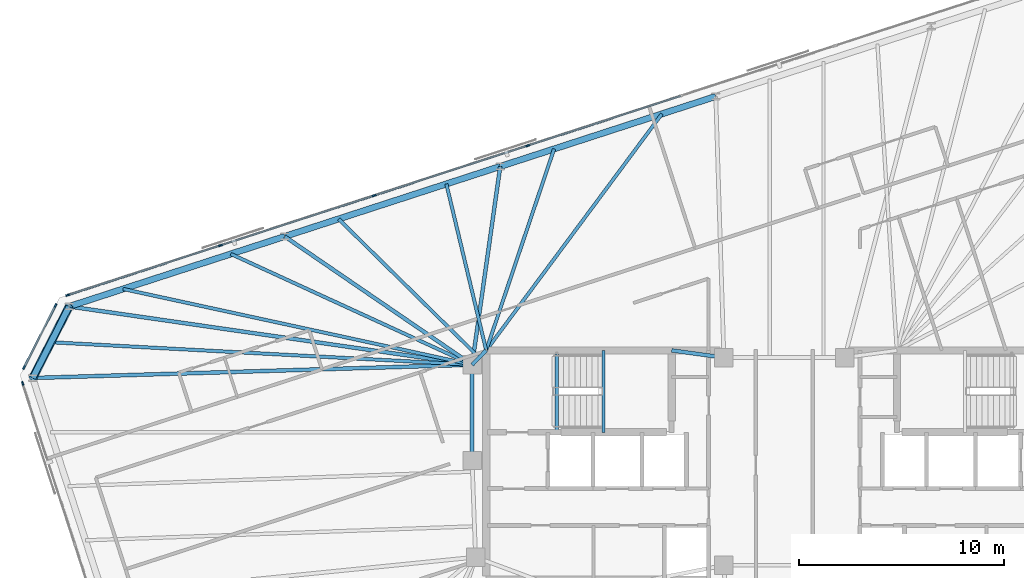
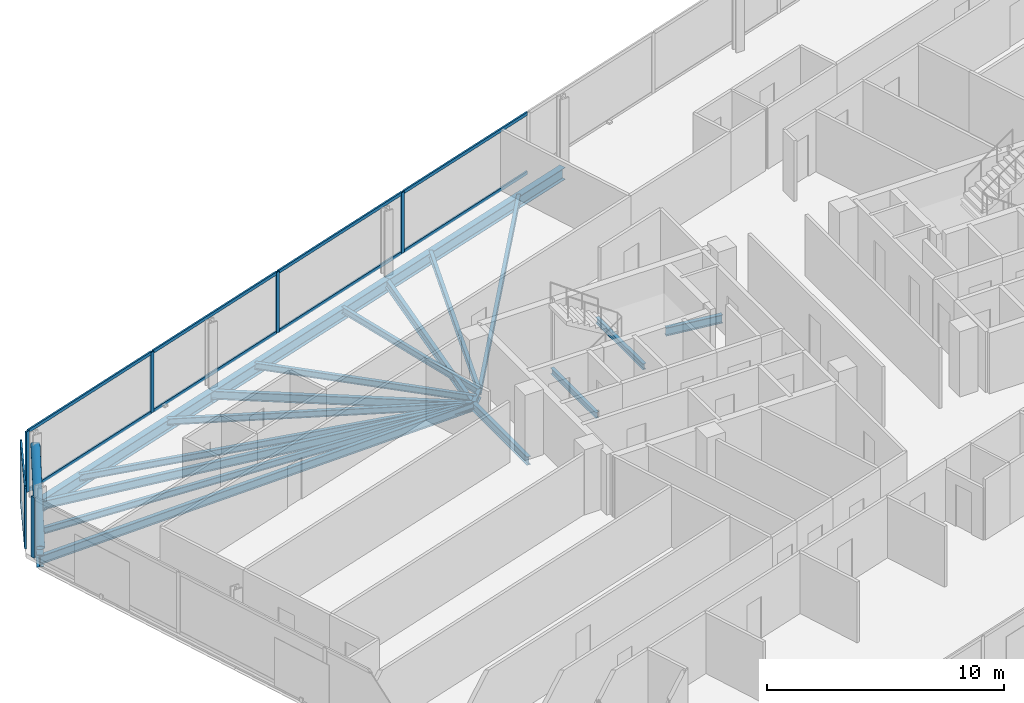
# One storey, part 9 of 19: 20 beams, 18 members, 3 elements without a shape of their own.
"""IFC4 building model written with IfcOpenShell, lengths in metres."""

from ifc_helpers import new_model, si_unit, direction, frame, origin, origin_2d, place, context, subcontext, project, spatial, rectangle, hollow_circle, i_section, extrude, material, material_profile, profile_set, type_object, element, aggregate, save


model = new_model("IFC4")

# Units and contexts
model_context = context("Model", 3, precision=1e-05, world=origin(), true_north=direction((0.0, 1.0)))
body_context = subcontext(model_context, "Body", "Model", "MODEL_VIEW")
ifc_project = project(units=[si_unit("LENGTHUNIT", "METRE"), si_unit("AREAUNIT", "SQUARE_METRE"), si_unit("VOLUMEUNIT", "CUBIC_METRE"), si_unit("PLANEANGLEUNIT", "RADIAN"), si_unit("MASSUNIT", "GRAM", prefix="KILO")], contexts=[model_context])

# Site, building, storey
site_placement = place(None, origin())
site = spatial("IfcSite", under=ifc_project, at=site_placement, CompositionType="ELEMENT")
building_placement = place(site_placement, origin())
building = spatial("IfcBuilding", under=site, at=building_placement, Name="Menara Jurai Vektor", CompositionType="ELEMENT")
storey_placement = place(building_placement, frame((0.0, 0.0, 214.25)))
storey = spatial("IfcBuildingStorey", under=building, at=storey_placement, Name="L56", CompositionType="ELEMENT", Elevation=214.25)

# Curtain wall, members
ifc_material_1 = material(Name="Anodised Pale Aluminium & Low-E Double Glazing", Category="aluminium")
curtain_wall_type = type_object("IfcCurtainWallType", Name="CW-BLK4", PredefinedType="NOTDEFINED", material=ifc_material_1)
curtain_wall_1_placement = place(storey_placement, origin())
curtain_wall_1 = element("IfcCurtainWall", 1, at=curtain_wall_1_placement, inside=storey, type_object=curtain_wall_type, Name="Unitised Curtain Wall L56 F05", PredefinedType="NOTDEFINED")
ifc_material_2 = material(Name="Anodised Pale Aluminium Mullion", Category="aluminium")
ifc_material_profile_1 = material_profile(ifc_material_2, rectangle(XDim=0.080078125, YDim=0.18994140625, at=origin_2d()), Name="ALU MUL 80x190")
ifc_profile_set_1 = profile_set([ifc_material_profile_1], Name="Anodised Pale Aluminium Mullion")
member_type_1 = type_object("IfcMemberType", Name="CW-BLK4-MUL", PredefinedType="MULLION", material=ifc_profile_set_1)
member_1_placement = place(storey_placement, frame((-12.532958984375, 15.601806640625, 0.0), z_axis=(0.0, 0.0, 1.0), x_axis=(0.309017344167, -0.951056402641, 0.0)))
member_1 = element("IfcMember", 2, at=member_1_placement, type_object=member_type_1, Name="CW-04 mullion 5", PredefinedType="MULLION", context=body_context, shape_type="SweptSolid", body=[
    extrude(rectangle(XDim=0.080078125, YDim=0.18994140625, at=origin_2d()), origin(), (0.0, 0.0, 1.0), 3.125),
])
member_2_placement = place(storey_placement, frame((-20.0380859375, 13.163330078125, 0.0), z_axis=(0.0, 0.0, 1.0), x_axis=(0.309017344167, -0.951056402641, 0.0)))
member_2 = element("IfcMember", 3, at=member_2_placement, type_object=member_type_1, Name="CW-04 mullion 6", PredefinedType="MULLION", context=body_context, shape_type="SweptSolid", body=[
    extrude(rectangle(XDim=0.080078125, YDim=0.18994140625, at=origin_2d()), origin(), (0.0, 0.0, 1.0), 3.125),
])
member_3_placement = place(storey_placement, frame((-27.543212890625, 10.724609375, 0.0), z_axis=(0.0, 0.0, 1.0), x_axis=(0.309017344167, -0.951056402641, 0.0)))
member_3 = element("IfcMember", 4, at=member_3_placement, type_object=member_type_1, Name="CW-04 mullion 7", PredefinedType="MULLION", context=body_context, shape_type="SweptSolid", body=[
    extrude(rectangle(XDim=0.080078125, YDim=0.18994140625, at=origin_2d()), origin(), (0.0, 0.0, 1.0), 3.125),
])
member_4_placement = place(storey_placement, frame((-35.010498046875, 8.29833984375, 0.0), z_axis=(0.0, 0.0, 1.0), x_axis=(0.309017344167, -0.951056402641, 0.0)))
member_4 = element("IfcMember", 5, at=member_4_placement, type_object=member_type_1, Name="CW-04 mullion 8", PredefinedType="MULLION", context=body_context, shape_type="SweptSolid", body=[
    extrude(rectangle(XDim=0.080078125, YDim=0.18994140625, at=origin_2d()), origin(), (0.0, 0.0, 1.0), 3.125),
])

curtain_wall_2_placement = place(storey_placement, origin())
curtain_wall_2 = element("IfcCurtainWall", 6, at=curtain_wall_2_placement, inside=storey, type_object=curtain_wall_type, Name="Unitised Curtain Wall L56 F06", PredefinedType="NOTDEFINED")
member_5_placement = place(storey_placement, frame((-35.6005859375, 7.79443359375, 0.0), z_axis=(0.0, 0.0, 1.0), x_axis=(0.89100750243, -0.453988579828, 0.0)))
member_5 = element("IfcMember", 7, at=member_5_placement, type_object=member_type_1, Name="CW-04 mullion 1", PredefinedType="MULLION", context=body_context, shape_type="SweptSolid", body=[
    extrude(rectangle(XDim=0.080078125, YDim=0.18994140625, at=origin_2d()), origin(), (0.0, 0.0, 1.0), 3.125),
])
member_6_placement = place(storey_placement, frame((-37.145263671875, 4.7626953125, 0.0), z_axis=(0.0, 0.0, 1.0), x_axis=(0.89100750243, -0.453988579828, 0.0)))
member_6 = element("IfcMember", 8, at=member_6_placement, type_object=member_type_1, Name="CW-04 mullion 2", PredefinedType="MULLION", context=body_context, shape_type="SweptSolid", body=[
    extrude(rectangle(XDim=0.080078125, YDim=0.18994140625, at=origin_2d()), origin(), (0.0, 0.0, 1.0), 3.125),
])

# Curtain wall, member
curtain_wall_3_placement = place(storey_placement, origin())
curtain_wall_3 = element("IfcCurtainWall", 9, at=curtain_wall_3_placement, inside=storey, type_object=curtain_wall_type, Name="Unitised Curtain Wall L56 F07", PredefinedType="NOTDEFINED")
member_7_placement = place(storey_placement, frame((-37.206298828125, 3.989013671875, 0.0), z_axis=(0.0, 0.0, 1.0), x_axis=(0.95105668295, 0.309016481464, 0.0)))
member_7 = element("IfcMember", 10, at=member_7_placement, type_object=member_type_1, Name="CW-04 mullion 1", PredefinedType="MULLION", context=body_context, shape_type="SweptSolid", body=[
    extrude(rectangle(XDim=0.080078125, YDim=0.18994140625, at=origin_2d()), origin(), (0.0, 0.0, 1.0), 3.125),
])
aggregate(curtain_wall_3, [member_7])

# Member
ifc_material_3 = material(Name="Anodised Pale Aluminium Transom", Category="aluminium")
ifc_material_profile_2 = material_profile(ifc_material_3, rectangle(XDim=0.080078125, YDim=0.1650390625, at=origin_2d()), Name="ALU TRN 80x165")
ifc_profile_set_2 = profile_set([ifc_material_profile_2], Name="Anodised Pale Aluminium Transom")
member_type_2 = type_object("IfcMemberType", Name="CW-BLK4-TRN", PredefinedType="USERDEFINED", material=ifc_profile_set_2)
member_8_placement = place(storey_placement, frame((-5.06591796875, 18.028076171875, 0.0400390625), z_axis=(-0.95105634578, -0.309017519167, 0.0), x_axis=(0.309017519167, -0.95105634578, 0.0)))
member_8 = element("IfcMember", 11, at=member_8_placement, type_object=member_type_2, Name="CW-04 transom 4.1", ObjectType="TRANSOM", PredefinedType="USERDEFINED", context=body_context, shape_type="SweptSolid", body=[
    extrude(rectangle(XDim=0.080078125, YDim=0.1650390625, at=origin_2d()), origin(), (0.0, 0.0, 1.0), 7.811279296875),
])

member_9_placement = place(storey_placement, frame((-5.06591796875, 18.028076171875, 3.0849609375), z_axis=(-0.95105634578, -0.309017519167, 0.0), x_axis=(0.309017519167, -0.95105634578, 0.0)))
member_9 = element("IfcMember", 12, at=member_9_placement, type_object=member_type_2, Name="CW-04 transom 4.2", ObjectType="TRANSOM", PredefinedType="USERDEFINED", context=body_context, shape_type="SweptSolid", body=[
    extrude(rectangle(XDim=0.080078125, YDim=0.1650390625, at=origin_2d()), origin(), (0.0, 0.0, 1.0), 7.811279296875),
])

member_10_placement = place(storey_placement, frame((-12.571044921875, 15.589599609375, 0.0400390625), z_axis=(-0.95104715984, -0.309045789099, 0.0), x_axis=(0.309045789099, -0.95104715984, 0.0)))
member_10 = element("IfcMember", 13, at=member_10_placement, type_object=member_type_2, Name="CW-04 transom 5.1", ObjectType="TRANSOM", PredefinedType="USERDEFINED", context=body_context, shape_type="SweptSolid", body=[
    extrude(rectangle(XDim=0.080078125, YDim=0.1650390625, at=origin_2d()), origin(), (0.0, 0.0, 1.0), 7.811279296875),
])

member_11_placement = place(storey_placement, frame((-12.571044921875, 15.589599609375, 3.0849609375), z_axis=(-0.95104715984, -0.309045789099, 0.0), x_axis=(0.309045789099, -0.95104715984, 0.0)))
member_11 = element("IfcMember", 14, at=member_11_placement, type_object=member_type_2, Name="CW-04 transom 5.2", ObjectType="TRANSOM", PredefinedType="USERDEFINED", context=body_context, shape_type="SweptSolid", body=[
    extrude(rectangle(XDim=0.080078125, YDim=0.1650390625, at=origin_2d()), origin(), (0.0, 0.0, 1.0), 7.811279296875),
])

member_12_placement = place(storey_placement, frame((-20.076171875, 13.15087890625, 0.0400390625), z_axis=(-0.951059330237, -0.309008333817, 0.0), x_axis=(0.309008333817, -0.951059330237, 0.0)))
member_12 = element("IfcMember", 15, at=member_12_placement, type_object=member_type_2, Name="CW-04 transom 6.1", ObjectType="TRANSOM", PredefinedType="USERDEFINED", context=body_context, shape_type="SweptSolid", body=[
    extrude(rectangle(XDim=0.080078125, YDim=0.1650390625, at=origin_2d()), origin(), (0.0, 0.0, 1.0), 7.8115234375),
])

member_13_placement = place(storey_placement, frame((-20.076171875, 13.15087890625, 3.0849609375), z_axis=(-0.951059330237, -0.309008333817, 0.0), x_axis=(0.309008333817, -0.951059330237, 0.0)))
member_13 = element("IfcMember", 16, at=member_13_placement, type_object=member_type_2, Name="CW-04 transom 6.2", ObjectType="TRANSOM", PredefinedType="USERDEFINED", context=body_context, shape_type="SweptSolid", body=[
    extrude(rectangle(XDim=0.080078125, YDim=0.1650390625, at=origin_2d()), origin(), (0.0, 0.0, 1.0), 7.8115234375),
])

member_14_placement = place(storey_placement, frame((-27.581298828125, 10.71240234375, 0.0400390625), z_axis=(-0.951052997543, -0.309027823771, 0.0), x_axis=(0.309027823771, -0.951052997543, 0.0)))
member_14 = element("IfcMember", 17, at=member_14_placement, type_object=member_type_2, Name="CW-04 transom 7.1", ObjectType="TRANSOM", PredefinedType="USERDEFINED", context=body_context, shape_type="SweptSolid", body=[
    extrude(rectangle(XDim=0.080078125, YDim=0.1650390625, at=origin_2d()), origin(), (0.0, 0.0, 1.0), 7.771484375),
])

member_15_placement = place(storey_placement, frame((-27.581298828125, 10.71240234375, 3.0849609375), z_axis=(-0.951052997543, -0.309027823771, 0.0), x_axis=(0.309027823771, -0.951052997543, 0.0)))
member_15 = element("IfcMember", 18, at=member_15_placement, type_object=member_type_2, Name="CW-04 transom 7.2", ObjectType="TRANSOM", PredefinedType="USERDEFINED", context=body_context, shape_type="SweptSolid", body=[
    extrude(rectangle(XDim=0.080078125, YDim=0.1650390625, at=origin_2d()), origin(), (0.0, 0.0, 1.0), 7.771484375),
])

aggregate(curtain_wall_1, [member_1, member_2, member_3, member_4, member_8, member_9, member_10, member_11, member_12, member_13, member_14, member_15])

member_16_placement = place(storey_placement, frame((-35.61865234375, 7.7587890625, 0.0400390625), z_axis=(-0.454019339544, -0.890991828986, 0.0), x_axis=(0.890991828986, -0.454019339544, 0.0)))
member_16 = element("IfcMember", 19, at=member_16_placement, type_object=member_type_2, Name="CW-04 transom 1.1", ObjectType="TRANSOM", PredefinedType="USERDEFINED", context=body_context, shape_type="SweptSolid", body=[
    extrude(rectangle(XDim=0.080078125, YDim=0.1650390625, at=origin_2d()), origin(), (0.0, 0.0, 1.0), 3.32275390625),
])

member_17_placement = place(storey_placement, frame((-35.61865234375, 7.7587890625, 3.0849609375), z_axis=(-0.454019339544, -0.890991828986, 0.0), x_axis=(0.890991828986, -0.454019339544, 0.0)))
member_17 = element("IfcMember", 20, at=member_17_placement, type_object=member_type_2, Name="CW-04 transom 1.2", ObjectType="TRANSOM", PredefinedType="USERDEFINED", context=body_context, shape_type="SweptSolid", body=[
    extrude(rectangle(XDim=0.080078125, YDim=0.1650390625, at=origin_2d()), origin(), (0.0, 0.0, 1.0), 3.32275390625),
])

aggregate(curtain_wall_2, [member_5, member_6, member_16, member_17])

# Beams
ifc_material_4 = material(Name="Steel S355", Category="steel")
ifc_material_profile_3 = material_profile(ifc_material_4, i_section(OverallWidth=0.18505859375, OverallDepth=0.429931640625, WebThickness=0.010986328125, FlangeThickness=0.01806640625, at=origin_2d()), Name="PG 430x185x76")
ifc_profile_set_3 = profile_set([ifc_material_profile_3], Name="Steel S355")
beam_type_1 = type_object("IfcBeamType", Name="STR-BM-430", PredefinedType="BEAM", material=ifc_profile_set_3)
beam_1_placement = place(storey_placement, frame((-15.25, 4.89990234375, -0.43994140625), z_axis=(0.701871936926, 0.712303154672, 0.0), x_axis=(-0.712303154672, 0.701871936926, 0.0)))
element("IfcBeam", 21, at=beam_1_placement, inside=storey, type_object=beam_type_1, Name="Core Ring Header Girder L56-CHW-N1", PredefinedType="BEAM", context=body_context, shape_type="SweptSolid", body=[
    extrude(i_section(OverallWidth=0.18505859375, OverallDepth=0.429931640625, WebThickness=0.010986328125, FlangeThickness=0.01806640625, at=origin_2d()), origin(), (0.0, 0.0, 1.0), 0.98291015625),
])
beam_2_placement = place(storey_placement, frame((-5.5, 5.60009765625, -0.43994140625), z_axis=(0.990706818608, -0.136014703483, 0.0), x_axis=(0.136014703483, 0.990706818608, 0.0)))
element("IfcBeam", 22, at=beam_2_placement, inside=storey, type_object=beam_type_1, Name="Core Ring Header Girder L56-CHW-N2", PredefinedType="BEAM", context=body_context, shape_type="SweptSolid", body=[
    extrude(i_section(OverallWidth=0.18505859375, OverallDepth=0.429931640625, WebThickness=0.010986328125, FlangeThickness=0.01806640625, at=origin_2d()), origin(), (0.0, 0.0, 1.0), 2.573974609375),
])
beam_3_placement = place(storey_placement, frame((-15.25, 0.219970703125, -0.43994140625), z_axis=(0.0, 1.0, 0.0), x_axis=(-1.0, 0.0, 0.0)))
element("IfcBeam", 23, at=beam_3_placement, inside=storey, type_object=beam_type_1, Name="Core Ring Header Girder L56-CHW-W1", PredefinedType="BEAM", context=body_context, shape_type="SweptSolid", body=[
    extrude(i_section(OverallWidth=0.18505859375, OverallDepth=0.429931640625, WebThickness=0.010986328125, FlangeThickness=0.01806640625, at=origin_2d()), origin(), (0.0, 0.0, 1.0), 4.679931640625),
])
beam_4_placement = place(storey_placement, frame((-13.875, 14.58740234375, -0.43994140625), z_axis=(-0.140527035582, -0.990076841599, 0.0), x_axis=(0.990076841599, -0.140527035582, 0.0)))
element("IfcBeam", 24, at=beam_4_placement, inside=storey, type_object=beam_type_1, Name="Radial Floor Girder L56-N4", PredefinedType="BEAM", context=body_context, shape_type="SweptSolid", body=[
    extrude(i_section(OverallWidth=0.18505859375, OverallDepth=0.429931640625, WebThickness=0.010986328125, FlangeThickness=0.01806640625, at=origin_2d()), origin(), (0.0, 0.0, 1.0), 9.78466796875),
])
beam_5_placement = place(storey_placement, frame((-24.404296875, 11.166259765625, -0.43994140625), z_axis=(0.825185786768, -0.564861414257, 0.0), x_axis=(0.564861414257, 0.825185786768, 0.0)))
element("IfcBeam", 25, at=beam_5_placement, inside=storey, type_object=beam_type_1, Name="Radial Floor Girder L56-N5", PredefinedType="BEAM", context=body_context, shape_type="SweptSolid", body=[
    extrude(i_section(OverallWidth=0.18505859375, OverallDepth=0.429931640625, WebThickness=0.010986328125, FlangeThickness=0.01806640625, at=origin_2d()), origin(), (0.0, 0.0, 1.0), 11.093505859375),
])
beam_6_placement = place(storey_placement, frame((-34.93359375, 7.7451171875, -0.43994140625), z_axis=(0.989713916117, -0.14306070126, 0.0), x_axis=(0.14306070126, 0.989713916117, 0.0)))
element("IfcBeam", 26, at=beam_6_placement, inside=storey, type_object=beam_type_1, Name="Radial Floor Girder L56-N6", PredefinedType="BEAM", context=body_context, shape_type="SweptSolid", body=[
    extrude(i_section(OverallWidth=0.18505859375, OverallDepth=0.429931640625, WebThickness=0.010986328125, FlangeThickness=0.01806640625, at=origin_2d()), origin(), (0.0, 0.0, 1.0), 19.88818359375),
])
beam_7_placement = place(storey_placement, frame((-36.71337890625, 4.251953125, -0.43994140625), z_axis=(0.999544635638, 0.030174846589, 0.0), x_axis=(-0.030174846589, 0.999544635638, 0.0)))
element("IfcBeam", 27, at=beam_7_placement, inside=storey, type_object=beam_type_1, Name="Radial Floor Girder L56-W1", PredefinedType="BEAM", context=body_context, shape_type="SweptSolid", body=[
    extrude(i_section(OverallWidth=0.18505859375, OverallDepth=0.429931640625, WebThickness=0.010986328125, FlangeThickness=0.01806640625, at=origin_2d()), origin(), (0.0, 0.0, 1.0), 21.47314453125),
])

# Member
ifc_material_5 = material(Name="Steel S460", Category="steel")
ifc_material_profile_4 = material_profile(ifc_material_5, hollow_circle(Radius=0.203125, WallThickness=0.01611328125, at=origin_2d()), Name="CHS 406.4x16")
ifc_profile_set_4 = profile_set([ifc_material_profile_4], Name="Steel S460")
member_type_3 = type_object("IfcMemberType", Name="STR-BR-406", PredefinedType="BRACE", material=ifc_profile_set_4)
member_18_placement = place(storey_placement, frame((-36.71337890625, 4.251953125, 0.14990234375), z_axis=(0.377225079071, 0.740375367811, 0.556368182465), x_axis=(-0.891013832566, 0.453976155955, 0.0)))
element("IfcMember", 28, at=member_18_placement, inside=storey, type_object=member_type_3, Name="Exoskeleton Corner Brace L56-3", PredefinedType="BRACE", context=body_context, shape_type="SweptSolid", body=[
    extrude(hollow_circle(Radius=0.203125, WallThickness=0.01611328125, at=origin_2d()), origin(), (0.0, 0.0, 1.0), 4.718017578125),
])

# Beams
ifc_material_profile_5 = material_profile(ifc_material_4, i_section(OverallWidth=0.1650390625, OverallDepth=0.330078125, WebThickness=0.009033203125, FlangeThickness=0.013916015625, at=origin_2d()), Name="PG 330x165x46")
ifc_profile_set_5 = profile_set([ifc_material_profile_5], Name="Steel S355")
beam_type_2 = type_object("IfcBeamType", Name="STR-JS-330", PredefinedType="JOIST", material=ifc_profile_set_5)
beam_8_placement = place(storey_placement, frame((-5.97802734375, 17.1533203125, -0.389892578125), z_axis=(-0.59630776033, -0.802755912448, 0.0), x_axis=(0.802755912448, -0.59630776033, 0.0)))
element("IfcBeam", 29, at=beam_8_placement, inside=storey, type_object=beam_type_2, Name="Radial Secondary Floor Joist L56-JS21", PredefinedType="JOIST", context=body_context, shape_type="SweptSolid", body=[
    extrude(i_section(OverallWidth=0.1650390625, OverallDepth=0.330078125, WebThickness=0.009033203125, FlangeThickness=0.013916015625, at=origin_2d()), origin(), (0.0, 0.0, 1.0), 14.391845703125),
])
beam_9_placement = place(storey_placement, frame((-11.24267578125, 15.44287109375, -0.389892578125), z_axis=(-0.319385076217, -0.94762501713, 0.0), x_axis=(0.94762501713, -0.319385076217, 0.0)))
element("IfcBeam", 30, at=beam_9_placement, inside=storey, type_object=beam_type_2, Name="Radial Secondary Floor Joist L56-JS22", PredefinedType="JOIST", context=body_context, shape_type="SweptSolid", body=[
    extrude(i_section(OverallWidth=0.1650390625, OverallDepth=0.330078125, WebThickness=0.009033203125, FlangeThickness=0.013916015625, at=origin_2d()), origin(), (0.0, 0.0, 1.0), 10.38671875),
])
beam_10_placement = place(storey_placement, frame((-16.50732421875, 13.732177734375, -0.389892578125), z_axis=(0.23287158907, -0.972507492518, 0.0), x_axis=(0.972507492518, 0.23287158907, 0.0)))
element("IfcBeam", 31, at=beam_10_placement, inside=storey, type_object=beam_type_2, Name="Radial Secondary Floor Joist L56-JS23", PredefinedType="JOIST", context=body_context, shape_type="SweptSolid", body=[
    extrude(i_section(OverallWidth=0.1650390625, OverallDepth=0.330078125, WebThickness=0.009033203125, FlangeThickness=0.013916015625, at=origin_2d()), origin(), (0.0, 0.0, 1.0), 8.362060546875),
])
beam_11_placement = place(storey_placement, frame((-21.77197265625, 12.021484375, -0.389892578125), z_axis=(0.7121893722, -0.701987391714, 0.0), x_axis=(0.701987391714, 0.7121893722, 0.0)))
element("IfcBeam", 32, at=beam_11_placement, inside=storey, type_object=beam_type_2, Name="Radial Secondary Floor Joist L56-JS24", PredefinedType="JOIST", context=body_context, shape_type="SweptSolid", body=[
    extrude(i_section(OverallWidth=0.1650390625, OverallDepth=0.330078125, WebThickness=0.009033203125, FlangeThickness=0.013916015625, at=origin_2d()), origin(), (0.0, 0.0, 1.0), 9.64404296875),
])
beam_12_placement = place(storey_placement, frame((-27.03662109375, 10.31103515625, -0.389892578125), z_axis=(0.908803804095, -0.417223735738, 0.0), x_axis=(0.417223735738, 0.908803804095, 0.0)))
element("IfcBeam", 33, at=beam_12_placement, inside=storey, type_object=beam_type_2, Name="Radial Secondary Floor Joist L56-JS25", PredefinedType="JOIST", context=body_context, shape_type="SweptSolid", body=[
    extrude(i_section(OverallWidth=0.1650390625, OverallDepth=0.330078125, WebThickness=0.009033203125, FlangeThickness=0.013916015625, at=origin_2d()), origin(), (0.0, 0.0, 1.0), 12.969482421875),
])
beam_13_placement = place(storey_placement, frame((-32.30126953125, 8.600341796875, -0.389892578125), z_axis=(0.977251946396, -0.212081666498, 0.0), x_axis=(0.212081666498, 0.977251946396, 0.0)))
element("IfcBeam", 34, at=beam_13_placement, inside=storey, type_object=beam_type_2, Name="Radial Secondary Floor Joist L56-JS26", PredefinedType="JOIST", context=body_context, shape_type="SweptSolid", body=[
    extrude(i_section(OverallWidth=0.1650390625, OverallDepth=0.330078125, WebThickness=0.009033203125, FlangeThickness=0.013916015625, at=origin_2d()), origin(), (0.0, 0.0, 1.0), 17.4482421875),
])
beam_14_placement = place(storey_placement, frame((-35.823486328125, 5.99853515625, -0.389892578125), z_axis=(0.998577239708, -0.053324444086, 0.0), x_axis=(0.053324444086, 0.998577239708, 0.0)))
element("IfcBeam", 35, at=beam_14_placement, inside=storey, type_object=beam_type_2, Name="Radial Secondary Floor Joist L56-JS27", PredefinedType="JOIST", context=body_context, shape_type="SweptSolid", body=[
    extrude(i_section(OverallWidth=0.1650390625, OverallDepth=0.330078125, WebThickness=0.009033203125, FlangeThickness=0.013916015625, at=origin_2d()), origin(), (0.0, 0.0, 1.0), 20.602783203125),
])
ifc_material_profile_6 = material_profile(ifc_material_4, i_section(OverallWidth=0.1650390625, OverallDepth=0.302978515625, WebThickness=0.006103515625, FlangeThickness=0.010009765625, FilletRadius=0.009033203125, at=origin_2d()), Name="UKB 305x165x40")
ifc_profile_set_6 = profile_set([ifc_material_profile_6], Name="Steel S355")
beam_type_3 = type_object("IfcBeamType", Name="STR-LN-305", PredefinedType="LINTEL", material=ifc_profile_set_6)
beam_15_placement = place(storey_placement, frame((-11.1201171875, 1.60009765625, -0.37646484375), z_axis=(0.0, 1.0, 0.0), x_axis=(-1.0, 0.0, 0.0)))
element("IfcBeam", 36, at=beam_15_placement, inside=storey, type_object=beam_type_3, Name="Stair Well Floor Trimmer ST1 L56", PredefinedType="LINTEL", context=body_context, shape_type="SweptSolid", body=[
    extrude(i_section(OverallWidth=0.1650390625, OverallDepth=0.302978515625, WebThickness=0.006103515625, FlangeThickness=0.010009765625, FilletRadius=0.009033203125, at=origin_2d()), origin(), (0.0, 0.0, 1.0), 3.81982421875),
])
beam_16_placement = place(storey_placement, frame((-8.830078125, 1.60009765625, 1.323486328125), z_axis=(0.0, 1.0, 0.0), x_axis=(-1.0, 0.0, 0.0)))
element("IfcBeam", 37, at=beam_16_placement, inside=storey, type_object=beam_type_3, Name="Stair Half-Landing Nosing Trimmer ST1-1 L56", PredefinedType="LINTEL", context=body_context, shape_type="SweptSolid", body=[
    extrude(i_section(OverallWidth=0.1650390625, OverallDepth=0.302978515625, WebThickness=0.006103515625, FlangeThickness=0.010009765625, FilletRadius=0.009033203125, at=origin_2d()), origin(), (0.0, 0.0, 1.0), 4.0),
])
ifc_material_profile_7 = material_profile(ifc_material_4, i_section(OverallWidth=0.306884765625, OverallDepth=0.6201171875, WebThickness=0.013916015625, FlangeThickness=0.02392578125, FilletRadius=0.01708984375, at=origin_2d()), Name="UKB 610x305x179")
ifc_profile_set_7 = profile_set([ifc_material_profile_7], Name="Steel S355")
beam_type_4 = type_object("IfcBeamType", Name="STR-SP-610", PredefinedType="SPANDREL", material=ifc_profile_set_7)
for number, where, z_axis, x_axis, name in (
    (38, (-3.345703125, 18.008544921875, -0.534912109375), (-0.951057401967, -0.309014268544, 0.0), (0.309014268544, -0.951057401967, 0.0), "Exoskeleton Spandrel Beam L56-13"),
    (39, (-13.875, 14.58740234375, -0.534912109375), (-0.951057401967, -0.309014268544, 0.0), (0.309014268544, -0.951057401967, 0.0), "Exoskeleton Spandrel Beam L56-14"),
    (40, (-24.404296875, 11.166259765625, -0.534912109375), (-0.951057401967, -0.309014268544, 0.0), (0.309014268544, -0.951057401967, 0.0), "Exoskeleton Spandrel Beam L56-15"),
):
    element("IfcBeam", number, at=place(storey_placement, frame(where, z_axis=z_axis, x_axis=x_axis)), inside=storey, type_object=beam_type_4, Name=name, PredefinedType="SPANDREL", context=body_context, shape_type="SweptSolid", body=[
        extrude(i_section(OverallWidth=0.306884765625, OverallDepth=0.6201171875, WebThickness=0.013916015625, FlangeThickness=0.02392578125, FilletRadius=0.01708984375, at=origin_2d()), origin(), (0.0, 0.0, 1.0), 11.071044921875),
    ])
beam_17_placement = place(storey_placement, frame((-34.93359375, 7.7451171875, -0.534912109375), z_axis=(-0.453976155955, -0.891013832566, 0.0), x_axis=(0.891013832566, -0.453976155955, 0.0)))
element("IfcBeam", 41, at=beam_17_placement, inside=storey, type_object=beam_type_4, Name="Exoskeleton Spandrel Beam L56-16", PredefinedType="SPANDREL", context=body_context, shape_type="SweptSolid", body=[
    extrude(i_section(OverallWidth=0.306884765625, OverallDepth=0.6201171875, WebThickness=0.013916015625, FlangeThickness=0.02392578125, FilletRadius=0.01708984375, at=origin_2d()), origin(), (0.0, 0.0, 1.0), 3.92041015625),
])

save(model, "model.ifc")
